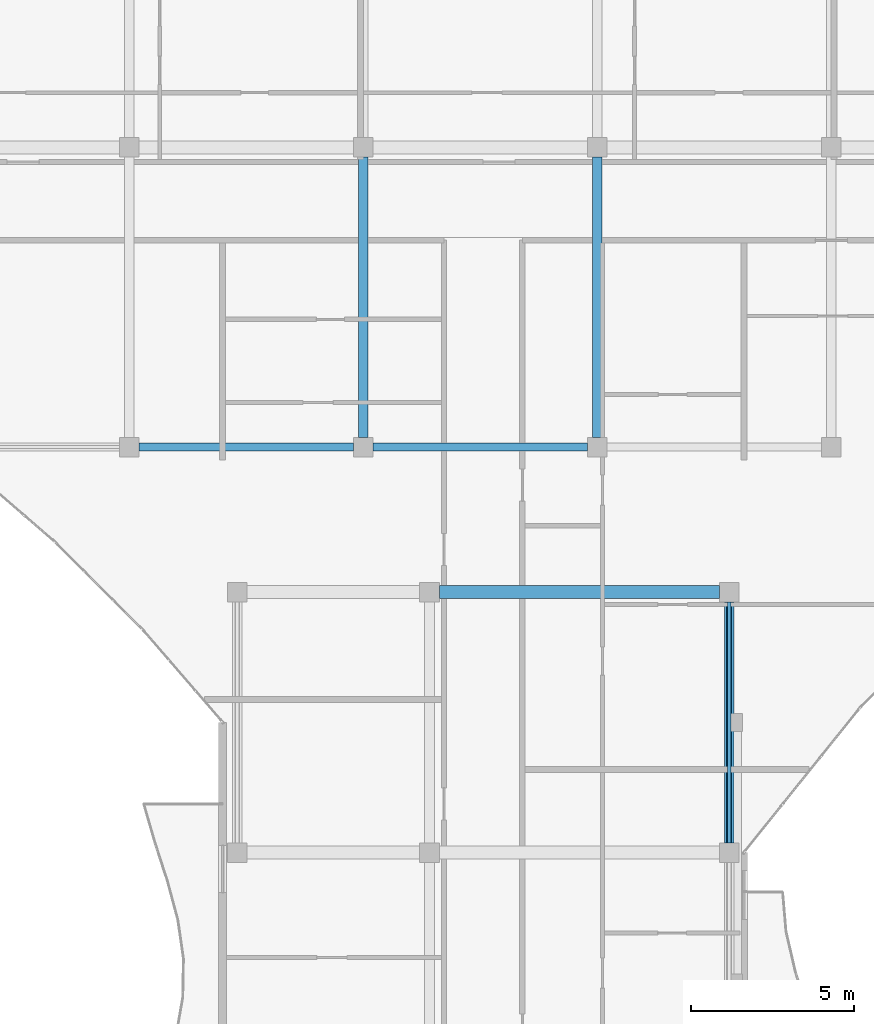
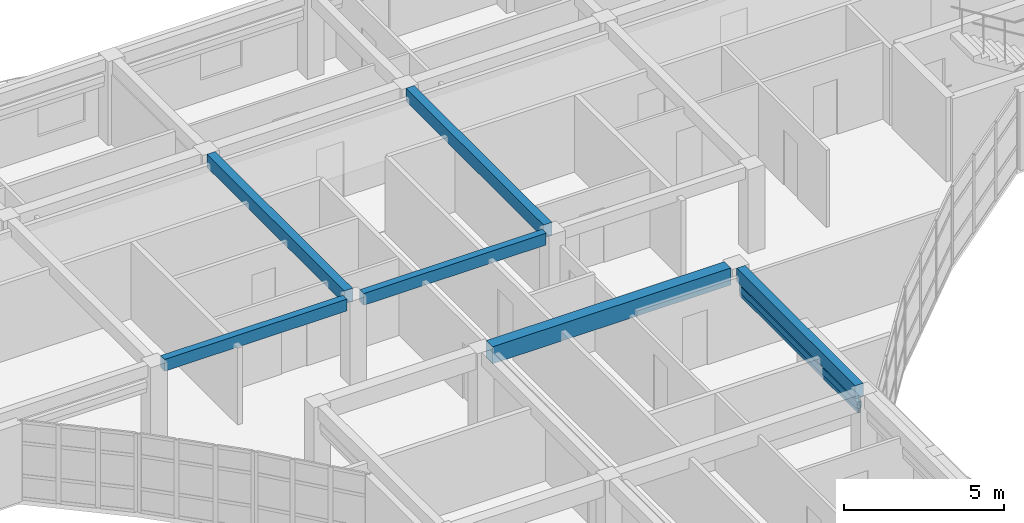
# One storey, part 21 of 79: 6 beams, 2 members.
"""IFC4 building model written with IfcOpenShell, lengths in metres."""

from ifc_helpers import new_model, si_unit, direction, frame, origin, origin_2d, place, context, subcontext, project, spatial, rectangle, hollow_rectangle, extrude, material, material_profile, profile_set, type_object, element, save


model = new_model("IFC4")

# Units and contexts
model_context = context("Model", 3, precision=1e-05, world=origin(), true_north=direction((0.0, 1.0)))
body_context = subcontext(model_context, "Body", "Model", "MODEL_VIEW")
ifc_project = project(units=[si_unit("LENGTHUNIT", "METRE"), si_unit("AREAUNIT", "SQUARE_METRE"), si_unit("VOLUMEUNIT", "CUBIC_METRE"), si_unit("PLANEANGLEUNIT", "RADIAN"), si_unit("MASSUNIT", "GRAM", prefix="KILO")], contexts=[model_context])

# Site, building, storey
site_placement = place(None, origin())
site = spatial("IfcSite", under=ifc_project, at=site_placement, CompositionType="ELEMENT")
building_placement = place(site_placement, origin())
building = spatial("IfcBuilding", under=site, at=building_placement, Name="Keldmere Railside Commons", CompositionType="ELEMENT")
storey_placement = place(building_placement, frame((0.0, 0.0, 10.56005859375)))
storey = spatial("IfcBuildingStorey", under=building, at=storey_placement, Name="L03", CompositionType="ELEMENT", Elevation=10.56005859375)

# Member
ifc_material_1 = material(Name="Steel F-36 (S355)", Category="steel")
ifc_material_profile_1 = material_profile(ifc_material_1, hollow_rectangle(XDim=0.14990234375, YDim=0.25, WallThickness=0.010009765625, at=origin_2d()), Name="RHS-250x150x10")
ifc_profile_set_1 = profile_set([ifc_material_profile_1], Name="Steel F-36 (S355)")
member_type_1 = type_object("IfcMemberType", Name="Balcony Continuous Planted Trough RHS250x150", PredefinedType="CHORD", material=ifc_profile_set_1)
member_1_placement = place(storey_placement, frame((119.550048828125, 88.300048828125, 2.4150390625), z_axis=(0.0, 1.0, 0.0), x_axis=(-1.0, 0.0, 0.0)))
element("IfcMember", 1, at=member_1_placement, inside=storey, type_object=member_type_1, Name="PLT-1 MEM-BPLT-0415", PredefinedType="CHORD", context=body_context, shape_type="SweptSolid", body=[
    extrude(hollow_rectangle(XDim=0.14990234375, YDim=0.25, WallThickness=0.010009765625, at=origin_2d()), origin(), (0.0, 0.0, 1.0), 7.39990234375),
])

# Beams
ifc_material_2 = material(Name="Architectural Precast Concrete H-35 (C35/45)", Category="concrete")
ifc_material_profile_2 = material_profile(ifc_material_2, rectangle(XDim=0.25, YDim=0.449951171875, at=origin_2d()), Name="RC-250x450")
ifc_profile_set_2 = profile_set([ifc_material_profile_2], Name="Architectural Precast Concrete H-35 (C35/45)")
beam_type_1 = type_object("IfcBeamType", Name="Perimeter Precast Spandrel Beam 250x450", PredefinedType="SPANDREL", material=ifc_profile_set_2)
beam_1_placement = place(storey_placement, frame((101.43310546875, 100.449951171875, 2.974853515625), z_axis=(1.0, 0.0, 0.0), x_axis=(0.0, 1.0, 0.0)))
element("IfcBeam", 2, at=beam_1_placement, inside=storey, type_object=beam_type_1, Name="SPB-1 BM-L03-1374", PredefinedType="SPANDREL", context=body_context, shape_type="SweptSolid", body=[
    extrude(rectangle(XDim=0.25, YDim=0.449951171875, at=origin_2d()), origin(), (0.0, 0.0, 1.0), 6.583984375),
])
beam_2_placement = place(storey_placement, frame((108.616943359375, 100.449951171875, 2.974853515625), z_axis=(1.0, 0.0, 0.0), x_axis=(0.0, 1.0, 0.0)))
element("IfcBeam", 3, at=beam_2_placement, inside=storey, type_object=beam_type_1, Name="SPB-1 BM-L03-1375", PredefinedType="SPANDREL", context=body_context, shape_type="SweptSolid", body=[
    extrude(rectangle(XDim=0.25, YDim=0.449951171875, at=origin_2d()), origin(), (0.0, 0.0, 1.0), 6.5830078125),
])
ifc_material_3 = material(Name="Concrete H-30 (C30/37)", Category="concrete")
ifc_material_profile_3 = material_profile(ifc_material_3, rectangle(XDim=0.39990234375, YDim=0.64990234375, at=origin_2d()), Name="RC-400x650")
ifc_profile_set_3 = profile_set([ifc_material_profile_3], Name="Concrete H-30 (C30/37)")
beam_type_2 = type_object("IfcBeamType", Name="Residential Spine RC Girder 400x650", PredefinedType="BEAM", material=ifc_profile_set_3)
beam_3_placement = place(storey_placement, frame((110.64990234375, 96.0, 2.875), z_axis=(1.0, 0.0, 0.0), x_axis=(0.0, 1.0, 0.0)))
element("IfcBeam", 4, at=beam_3_placement, inside=storey, type_object=beam_type_2, Name="BG-3 BM-L03-1366", PredefinedType="BEAM", context=body_context, shape_type="SweptSolid", body=[
    extrude(rectangle(XDim=0.39990234375, YDim=0.64990234375, at=origin_2d()), origin(), (0.0, 0.0, 1.0), 8.60009765625),
])
ifc_material_profile_4 = material_profile(ifc_material_3, rectangle(XDim=0.300048828125, YDim=0.5, at=origin_2d()), Name="RC-300x500")
ifc_profile_set_4 = profile_set([ifc_material_profile_4], Name="Concrete H-30 (C30/37)")
beam_type_3 = type_object("IfcBeamType", Name="Secondary Frame RC Beam 300x500", PredefinedType="BEAM", material=ifc_profile_set_4)
for number, where, z_axis, x_axis, name in (
    (5, (108.31689453125, 100.75, 2.949951171875), (0.0, 1.0, 0.0), (-1.0, 0.0, 0.0), "BG-5 BM-L03-1467"),
    (6, (115.5, 100.75, 2.949951171875), (0.0, 1.0, 0.0), (-1.0, 0.0, 0.0), "BG-5 BM-L03-1474"),
):
    element("IfcBeam", number, at=place(storey_placement, frame(where, z_axis=z_axis, x_axis=x_axis)), inside=storey, type_object=beam_type_3, Name=name, PredefinedType="BEAM", context=body_context, shape_type="SweptSolid", body=[
        extrude(rectangle(XDim=0.300048828125, YDim=0.5, at=origin_2d()), origin(), (0.0, 0.0, 1.0), 8.60009765625),
    ])
beam_4_placement = place(storey_placement, frame((119.550048828125, 88.300048828125, 2.949951171875), z_axis=(0.0, 1.0, 0.0), x_axis=(-1.0, 0.0, 0.0)))
element("IfcBeam", 7, at=beam_4_placement, inside=storey, type_object=beam_type_3, Name="BG-5 BM-L03-1480", PredefinedType="BEAM", context=body_context, shape_type="SweptSolid", body=[
    extrude(rectangle(XDim=0.300048828125, YDim=0.5, at=origin_2d()), origin(), (0.0, 0.0, 1.0), 7.39990234375),
])

# Member
ifc_material_profile_5 = material_profile(ifc_material_1, hollow_rectangle(XDim=0.10009765625, YDim=0.159912109375, WallThickness=0.008056640625, at=origin_2d()), Name="RHS-160x100x8")
ifc_profile_set_5 = profile_set([ifc_material_profile_5], Name="Steel F-36 (S355)")
member_type_2 = type_object("IfcMemberType", Name="Solar Brise-Soleil Louvre Fin RHS160x100", PredefinedType="STRUT", material=ifc_profile_set_5)
member_2_placement = place(storey_placement, frame((119.550048828125, 88.300048828125, 2.199951171875), z_axis=(0.0, 1.0, 0.0), x_axis=(-1.0, 0.0, 0.0)))
element("IfcMember", 8, at=member_2_placement, inside=storey, type_object=member_type_2, Name="BSF-1 MEM-BSF-0416", PredefinedType="STRUT", context=body_context, shape_type="SweptSolid", body=[
    extrude(hollow_rectangle(XDim=0.10009765625, YDim=0.159912109375, WallThickness=0.008056640625, at=origin_2d()), origin(), (0.0, 0.0, 1.0), 7.39990234375),
])

save(model, "model.ifc")
